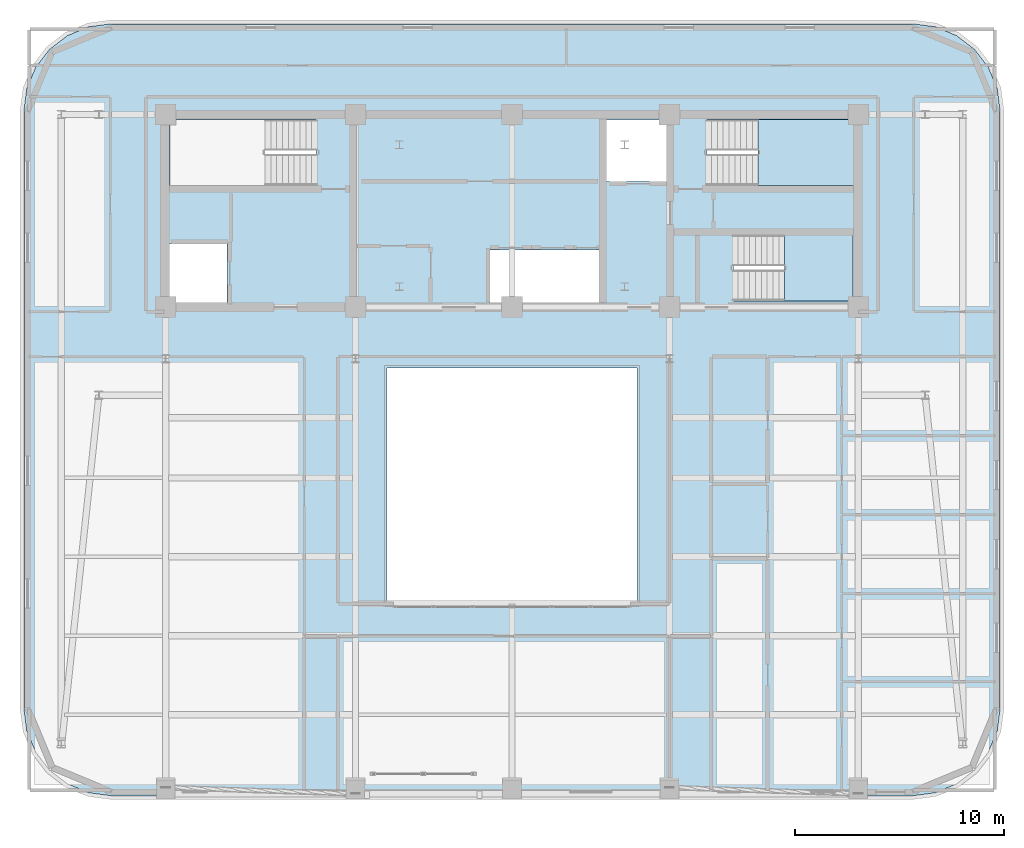
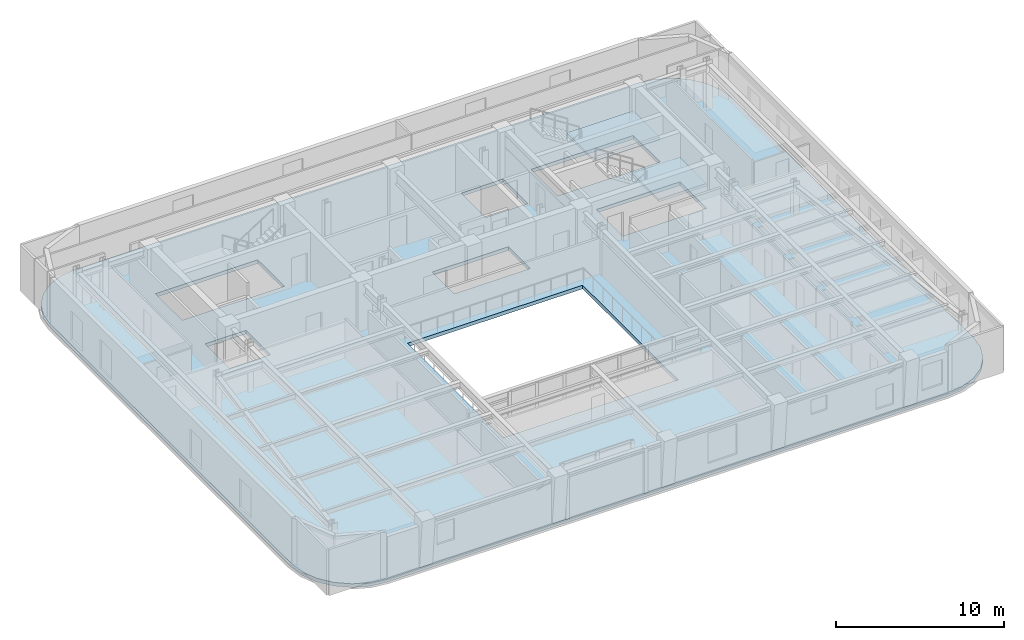
# One storey, part 4 of 13: 3 slabs, 2 elements without a shape of their own.
"""IFC4 building model written with IfcOpenShell, lengths in metres."""

import ifcopenshell
import ifcopenshell.guid

model = None  # the IFC model being written
_history = None  # IfcOwnerHistory: only IFC2X3 demands one
_inside = {}  # id of a spatial element -> (the spatial element, [elements in it])
_under = {}  # id of a project, library or spatial element -> (it, [spatial elements below it])
_declared = {}  # id of a project -> (the project, [libraries it declares])
_typed = {}  # id of a type object -> (the type object, [elements of that type])
_made_of = {}  # id of a material, layer set ... -> (it, [elements and type objects made of it])


def new_model(schema):
    """Start an empty IFC model of exactly this schema.

    Asked for "IFC4X3", IfcOpenShell would pick the latest addendum, in which some entities
    have other attributes; the version numbers below select the first issue.
    IFC2X3 requires an IfcOwnerHistory on every rooted entity: one is made here for all.
    """
    global model, _history
    if schema == "IFC4X3":
        model = ifcopenshell.file(schema_version=(4, 3, 0, 0))
    else:
        model = ifcopenshell.file(schema=schema)
    _inside.clear()
    _under.clear()
    _declared.clear()
    _typed.clear()
    _made_of.clear()
    _history = None
    if model.schema == "IFC2X3":
        org = make("IfcOrganization", Name="unknown")
        user = make(
            "IfcPersonAndOrganization",
            ThePerson=make("IfcPerson", FamilyName="unknown"),
            TheOrganization=org,
        )
        app = make(
            "IfcApplication",
            ApplicationDeveloper=org,
            Version="unknown",
            ApplicationFullName="unknown",
            ApplicationIdentifier="unknown",
        )
        _history = make(
            "IfcOwnerHistory",
            OwningUser=user,
            OwningApplication=app,
            ChangeAction="ADDED",
            CreationDate=0,
        )
    return model


def make(cls, **values):
    """One entity of the class cls with the attributes given. An attribute that is None is left unset."""
    return model.create_entity(
        cls, **{name: value for name, value in values.items() if value is not None}
    )


def rooted(cls, **values):
    """An entity with a GlobalId (a new one), such as an element, a storey or a relation."""
    return make(cls, GlobalId=ifcopenshell.guid.new(), OwnerHistory=_history, **values)


def si_unit(unit_type, name, prefix=None):
    """IfcSIUnit, for example si_unit("LENGTHUNIT", "METRE", prefix="MILLI")."""
    return make("IfcSIUnit", UnitType=unit_type, Prefix=prefix, Name=name)


def assignment(units):
    """IfcUnitAssignment: the units of a project."""
    return None if units is None else make("IfcUnitAssignment", Units=units)


def point(xyz):
    """IfcCartesianPoint."""
    return None if xyz is None else make("IfcCartesianPoint", Coordinates=xyz)


def direction(xyz):
    """IfcDirection."""
    return None if xyz is None else make("IfcDirection", DirectionRatios=xyz)


def frame(location, z_axis=None, x_axis=None):
    """IfcAxis2Placement3D, a coordinate frame: its origin and axes. An axis left out is left unset."""
    return make(
        "IfcAxis2Placement3D",
        Location=point(location),
        Axis=direction(z_axis),
        RefDirection=direction(x_axis),
    )


def origin():
    """The frame at (0, 0, 0) with its axes left unset."""
    return frame((0.0, 0.0, 0.0))


def place(relative_to, where):
    """IfcLocalPlacement: puts the frame where relative to a parent placement (None: the world)."""
    return make(
        "IfcLocalPlacement", PlacementRelTo=relative_to, RelativePlacement=where
    )


def context(
    kind, dimensions, precision=None, world=None, true_north=None, identifier=None
):
    """IfcGeometricRepresentationContext, for example the 3D "Model" context."""
    return make(
        "IfcGeometricRepresentationContext",
        ContextIdentifier=identifier,
        ContextType=kind,
        CoordinateSpaceDimension=dimensions,
        Precision=precision,
        WorldCoordinateSystem=world,
        TrueNorth=true_north,
    )


def subcontext(parent, identifier, kind, view, scale=None):
    """IfcGeometricRepresentationSubContext, for example "Body" below "Model"."""
    return make(
        "IfcGeometricRepresentationSubContext",
        ContextIdentifier=identifier,
        ContextType=kind,
        ParentContext=parent,
        TargetScale=scale,
        TargetView=view,
    )


def project(units=None, contexts=None):
    """IfcProject with its units and contexts."""
    return rooted(
        "IfcProject",
        Name="project",
        RepresentationContexts=contexts,
        UnitsInContext=assignment(units),
    )


def spatial(cls, under=None, at=None, **own):
    """A site, building, storey or space (cls), placed at a placement, below another one or the project."""
    s = rooted(cls, ObjectPlacement=at, **own)
    if under is not None:
        _under.setdefault(under.id(), (under, []))[1].append(s)
    return s


def polyline(points):
    """IfcPolyline through the points."""
    return make("IfcPolyline", Points=[point(p) for p in points])


def outline(outer, holes=None, kind="AREA"):
    """IfcArbitraryClosedProfileDef: a profile drawn as a closed curve; with holes, ...WithVoids."""
    if holes is None:
        return make("IfcArbitraryClosedProfileDef", ProfileType=kind, OuterCurve=outer)
    return make(
        "IfcArbitraryProfileDefWithVoids",
        ProfileType=kind,
        OuterCurve=outer,
        InnerCurves=holes,
    )


def extrude(swept, where, along, depth):
    """IfcExtrudedAreaSolid: the profile swept, set in the frame where, extruded along a direction by depth."""
    return make(
        "IfcExtrudedAreaSolid",
        SweptArea=swept,
        Position=where,
        ExtrudedDirection=direction(along),
        Depth=depth,
    )


def shape(context_of_items, identifier, shape_type, items):
    """IfcShapeRepresentation: the items that make up one representation, for example the "Body"."""
    return make(
        "IfcShapeRepresentation",
        ContextOfItems=context_of_items,
        RepresentationIdentifier=identifier,
        RepresentationType=shape_type,
        Items=items,
    )


def material(Name=None, Category=None):
    """IfcMaterial."""
    return make("IfcMaterial", Name=Name, Category=Category)


def layer(
    of_material, thickness, ventilated=None, Name=None, Category=None, Priority=None
):
    """IfcMaterialLayer: one layer of a wall or slab, of a material (None: an air gap)."""
    return make(
        "IfcMaterialLayer",
        Material=of_material,
        LayerThickness=thickness,
        IsVentilated=ventilated,
        Name=Name,
        Category=Category,
        Priority=Priority,
    )


def layer_set(layers, Name=None):
    """IfcMaterialLayerSet."""
    return make("IfcMaterialLayerSet", MaterialLayers=layers, LayerSetName=Name)


def made_of(thing, what):
    """Note that an element or type object is made of a material, layer set ...; save() writes the relation."""
    if what is not None:
        _made_of.setdefault(what.id(), (what, []))[1].append(thing)
    return thing


def type_object(cls, material=None, **own):
    """A type object (cls), such as IfcWallType, which elements share."""
    return made_of(rooted(cls, **own), material)


def element(
    cls,
    number,
    at=None,
    inside=None,
    cuts=None,
    type_object=None,
    material=None,
    context=None,
    identifier="Body",
    shape_type=None,
    held_by="IfcProductDefinitionShape",
    body=None,
    shapes=None,
    **own,
):
    """One element of the class cls, such as IfcWall. Its Tag is "e" and its number.

    at: its placement. inside: the storey or other place that contains it. cuts: it is an
    opening in that element (IfcRelVoidsElement). A single representation is given by context,
    identifier, shape_type and body (its items); several are given by shapes. held_by: the class
    of the entity that holds the representations. save() writes the other relations.
    """
    e = rooted(cls, Tag="e%d" % number, ObjectPlacement=at, **own)
    if body is not None:
        shapes = [shape(context, identifier, shape_type, body)]
    if shapes is not None:
        e.Representation = make(held_by, Representations=shapes)
    if inside is not None:
        _inside.setdefault(inside.id(), (inside, []))[1].append(e)
    if cuts is not None:
        rooted(
            "IfcRelVoidsElement", RelatingBuildingElement=cuts, RelatedOpeningElement=e
        )
    if type_object is not None:
        _typed.setdefault(type_object.id(), (type_object, []))[1].append(e)
    return made_of(e, material)


def aggregate(whole, parts):
    """IfcRelAggregates: a whole, such as a stair, and the parts it consists of."""
    return rooted("IfcRelAggregates", RelatingObject=whole, RelatedObjects=parts)


def save(model, path):
    """Write the relations noted so far, then the file.

    IfcRelAggregates (storeys below a building ...), IfcRelContainedInSpatialStructure (elements
    in a storey), IfcRelDefinesByType, IfcRelAssociatesMaterial and IfcRelDeclares: one each for
    every whole, place, type object, material and project.
    """
    for whole, parts in _under.values():
        aggregate(whole, parts)
    for where, things in _inside.values():
        rooted(
            "IfcRelContainedInSpatialStructure",
            RelatedElements=things,
            RelatingStructure=where,
        )
    for kind, things in _typed.values():
        rooted("IfcRelDefinesByType", RelatedObjects=things, RelatingType=kind)
    for what, things in _made_of.values():
        rooted("IfcRelAssociatesMaterial", RelatedObjects=things, RelatingMaterial=what)
    for by, libraries in _declared.values():
        rooted("IfcRelDeclares", RelatingContext=by, RelatedDefinitions=libraries)
    model.write(path)


model = new_model("IFC4")

# Units and contexts
model_context = context("Model", 3, precision=1e-05, world=origin(), true_north=direction((0.0, 1.0)))
body_context = subcontext(model_context, "Body", "Model", "MODEL_VIEW")
ifc_project = project(units=[si_unit("LENGTHUNIT", "METRE"), si_unit("AREAUNIT", "SQUARE_METRE"), si_unit("VOLUMEUNIT", "CUBIC_METRE"), si_unit("PLANEANGLEUNIT", "RADIAN"), si_unit("MASSUNIT", "GRAM", prefix="KILO")], contexts=[model_context])

# Site, building, storey
site_placement = place(None, origin())
site = spatial("IfcSite", under=ifc_project, at=site_placement, CompositionType="ELEMENT")
building_placement = place(site_placement, origin())
building = spatial("IfcBuilding", under=site, at=building_placement, Name="Zarnavel Station Tower", CompositionType="ELEMENT")
storey_placement = place(building_placement, frame((0.0, 0.0, 236.39990234375)))
storey = spatial("IfcBuildingStorey", under=building, at=storey_placement, Name="L64", CompositionType="ELEMENT", Elevation=236.39990234375)

# Slab
ifc_material_1 = material(Name="Concrete C45/55", Category="concrete")
ifc_layer_1 = layer(ifc_material_1, 0.260009765625)
ifc_layer_set_1 = layer_set([ifc_layer_1], Name="SL_FLR_260")
slab_type_1 = type_object("IfcSlabType", Name="SL_FLR_260", PredefinedType="FLOOR", material=ifc_layer_set_1)
slab_1_placement = place(storey_placement, frame((0.0, 0.0, -0.260009765625)))
element("IfcSlab", 1, at=slab_1_placement, inside=storey, type_object=slab_type_1, Name="L64 Structural Floor Slab", PredefinedType="FLOOR", context=body_context, shape_type="SweptSolid", body=[
    extrude(outline(polyline([(48.0, 4.39990234375), (49.0869140625, 4.543212890625), (50.10009765625, 4.962646484375), (50.9697265625, 5.630126953125), (51.63720703125, 6.5), (52.056884765625, 7.512939453125), (52.199951171875, 8.60009765625), (52.199951171875, 37.199951171875), (52.056884765625, 38.287109375), (51.63720703125, 39.300048828125), (50.9697265625, 40.169921875), (50.10009765625, 40.83740234375), (49.0869140625, 41.2568359375), (48.0, 41.39990234375), (9.60009765625, 41.39990234375), (8.512939453125, 41.2568359375), (7.5, 40.83740234375), (6.630126953125, 40.169921875), (5.962646484375, 39.300048828125), (5.543212890625, 38.287109375), (5.39990234375, 37.199951171875), (5.39990234375, 8.60009765625), (5.543212890625, 7.512939453125), (5.962646484375, 6.5), (6.630126953125, 5.630126953125), (7.5, 4.962646484375), (8.512939453125, 4.543212890625), (9.60009765625, 4.39990234375), (48.0, 4.39990234375)]), holes=[polyline([(12.39990234375, 33.659912109375), (19.409912109375, 33.659912109375), (19.409912109375, 36.820068359375), (12.39990234375, 36.820068359375), (12.39990234375, 33.659912109375)]), polyline([(38.14990234375, 33.659912109375), (45.159912109375, 33.659912109375), (45.159912109375, 36.820068359375), (38.14990234375, 36.820068359375), (38.14990234375, 33.659912109375)]), polyline([(39.419921875, 28.1201171875), (45.14990234375, 28.1201171875), (45.14990234375, 31.280029296875), (39.419921875, 31.280029296875), (39.419921875, 28.1201171875)]), polyline([(12.35009765625, 27.949951171875), (15.14990234375, 27.949951171875), (15.14990234375, 30.85009765625), (12.35009765625, 30.85009765625), (12.35009765625, 27.949951171875)]), polyline([(33.320068359375, 33.85009765625), (36.2099609375, 33.85009765625), (36.2099609375, 36.780029296875), (33.320068359375, 36.780029296875), (33.320068359375, 33.85009765625)]), polyline([(27.75, 27.949951171875), (32.97998046875, 27.949951171875), (32.97998046875, 30.550048828125), (27.75, 30.550048828125), (27.75, 27.949951171875)]), polyline([(22.800048828125, 13.60009765625), (34.800048828125, 13.60009765625), (34.800048828125, 24.89990234375), (22.800048828125, 24.89990234375), (22.800048828125, 13.60009765625)])]), origin(), (0.0, 0.0, 1.0), 0.260009765625),
])

# Stair, slab
ifc_material_2 = material(Name="Concrete C45/55", Category="concrete")
stair_type = type_object("IfcStairType", Name="ST_CORE_150", PredefinedType="HALF_TURN_STAIR", material=ifc_material_2)
stair_1_placement = place(storey_placement, origin())
stair_1 = element("IfcStair", 2, at=stair_1_placement, inside=storey, type_object=stair_type, Name="L64 Core Exit Stair ST2", PredefinedType="HALF_TURN_STAIR")
ifc_material_3 = material(Name="Concrete C45/55", Category="concrete")
ifc_layer_2 = layer(ifc_material_3, 0.199951171875)
ifc_layer_set_2 = layer_set([ifc_layer_2], Name="SL_STAIR_LAND_200")
slab_type_2 = type_object("IfcSlabType", Name="SL_STAIR_LAND_200", PredefinedType="LANDING", material=ifc_layer_set_2)
slab_2_placement = place(storey_placement, frame((0.0, 0.0, 1.60009765625)))
slab_2 = element("IfcSlab", 3, at=slab_2_placement, type_object=slab_type_2, Name="ST2 landing 1", PredefinedType="LANDING", context=body_context, shape_type="SweptSolid", body=[
    extrude(outline(polyline([(40.60009765625, 33.659912109375), (45.159912109375, 33.659912109375), (45.159912109375, 36.820068359375), (40.60009765625, 36.820068359375), (40.60009765625, 33.659912109375)])), origin(), (0.0, 0.0, 1.0), 0.199951171875),
])
aggregate(stair_1, [slab_2])

stair_2_placement = place(storey_placement, origin())
stair_2 = element("IfcStair", 4, at=stair_2_placement, inside=storey, type_object=stair_type, Name="L64 Core Exit Stair ST3", PredefinedType="HALF_TURN_STAIR")
slab_3_placement = place(storey_placement, frame((0.0, 0.0, 1.60009765625)))
slab_3 = element("IfcSlab", 5, at=slab_3_placement, type_object=slab_type_2, Name="ST3 landing 1", PredefinedType="LANDING", context=body_context, shape_type="SweptSolid", body=[
    extrude(outline(polyline([(41.8701171875, 28.1201171875), (45.14990234375, 28.1201171875), (45.14990234375, 31.280029296875), (41.8701171875, 31.280029296875), (41.8701171875, 28.1201171875)])), origin(), (0.0, 0.0, 1.0), 0.199951171875),
])
aggregate(stair_2, [slab_3])

save(model, "model.ifc")
